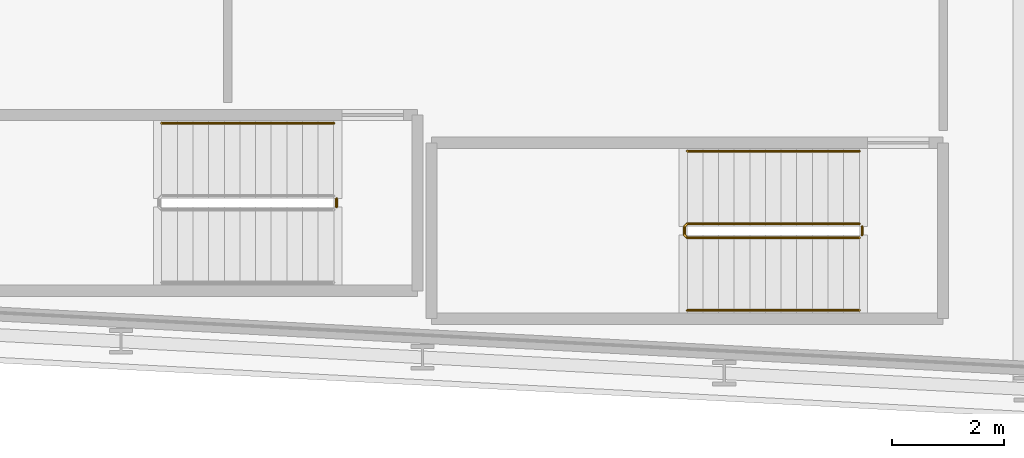
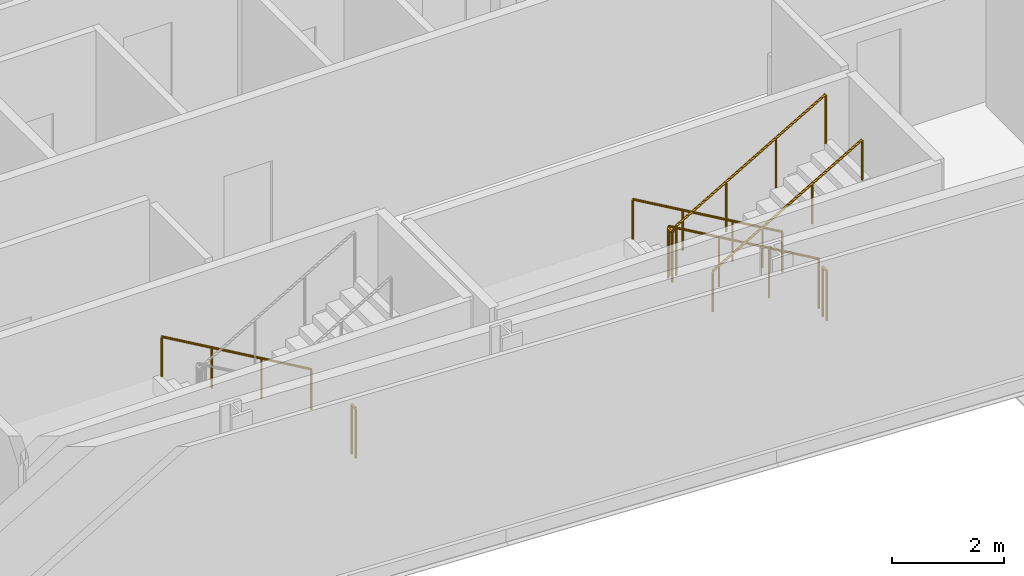
# One storey, part 22 of 25: 6 railings.
"""IFC4 building model written with IfcOpenShell, lengths in metres."""

from ifc_helpers import new_model, si_unit, direction, frame, origin, origin_2d, place, context, subcontext, project, spatial, circle, extrude, material, type_object, element, save


model = new_model("IFC4")

# Units and contexts
model_context = context("Model", 3, precision=1e-05, world=origin(), true_north=direction((0.0, 1.0)))
body_context = subcontext(model_context, "Body", "Model", "MODEL_VIEW")
ifc_project = project(units=[si_unit("LENGTHUNIT", "METRE"), si_unit("AREAUNIT", "SQUARE_METRE"), si_unit("VOLUMEUNIT", "CUBIC_METRE"), si_unit("PLANEANGLEUNIT", "RADIAN"), si_unit("MASSUNIT", "GRAM", prefix="KILO")], contexts=[model_context])

# Site, building, storey
site_placement = place(None, origin())
site = spatial("IfcSite", under=ifc_project, at=site_placement, CompositionType="ELEMENT")
building_placement = place(site_placement, origin())
building = spatial("IfcBuilding", under=site, at=building_placement, Name="Kheshtan School and Residences Tower", CompositionType="ELEMENT")
storey_placement = place(building_placement, frame((0.0, 0.0, 113.60009765625)))
storey = spatial("IfcBuildingStorey", under=building, at=storey_placement, Name="L26", CompositionType="ELEMENT", Elevation=113.60009765625)

# Railings
ifc_material_1 = material(Name="Stainless steel balustrade", Category="steel")
railing_type_1 = type_object("IfcRailingType", Name="Stair guard 1100", PredefinedType="GUARDRAIL", material=ifc_material_1)
railing_1_placement = place(storey_placement, frame((87.820068359375, 23.949951171875, 0.162353515625)))
element("IfcRailing", 1, at=railing_1_placement, inside=storey, type_object=railing_type_1, Name="L26 ST4 stair guard 1", PredefinedType="GUARDRAIL", context=body_context, shape_type="SweptSolid", body=[
    extrude(circle(Radius=0.02392578125, at=origin_2d()), frame((0.0, 0.0, 1.076171875), z_axis=(-0.864890721111, 0.0, 0.501960198159), x_axis=(0.0, -1.0, 0.0)), (0.0, 0.0, 1.0), 3.561279296875),
    extrude(circle(Radius=0.02392578125, at=origin_2d()), frame((-3.080078125, 0.0, 2.86376953125), z_axis=(-0.707106781187, -0.707106781187, 0.0), x_axis=(0.707106781187, -0.707106781187, 0.0)), (0.0, 0.0, 1.0), 0.07080078125),
    extrude(circle(Radius=0.02392578125, at=origin_2d()), frame((-3.130126953125, -0.050048828125, 2.86376953125), z_axis=(0.0, -1.0, 0.0), x_axis=(1.0, 0.0, 0.0)), (0.0, 0.0, 1.0), 0.14990234375),
    extrude(circle(Radius=0.02392578125, at=origin_2d()), frame((-3.130126953125, -0.199951171875, 2.86376953125), z_axis=(0.282583949758, -0.282583949758, 0.916674763849), x_axis=(0.707106781187, 0.707106781187, 0.0)), (0.0, 0.0, 1.0), 0.177001953125),
    extrude(circle(Radius=0.02392578125, at=origin_2d()), frame((-3.080078125, -0.25, 3.02587890625), z_axis=(0.864890721111, 0.0, 0.501960198159), x_axis=(0.0, 1.0, 0.0)), (0.0, 0.0, 1.0), 3.561279296875),
    extrude(circle(Radius=0.02099609375, at=origin_2d()), origin(), (0.0, 0.0, 1.0), 1.052001953125),
    extrude(circle(Radius=0.02099609375, at=origin_2d()), frame((-1.026611328125, 0.0, 0.595947265625)), (0.0, 0.0, 1.0), 1.052001953125),
    extrude(circle(Radius=0.02099609375, at=origin_2d()), frame((-2.053466796875, 0.0, 1.191650390625)), (0.0, 0.0, 1.0), 1.052001953125),
    extrude(circle(Radius=0.02099609375, at=origin_2d()), frame((-3.080078125, 0.0, 1.78759765625)), (0.0, 0.0, 1.0), 1.052001953125),
    extrude(circle(Radius=0.02099609375, at=origin_2d()), frame((-3.130126953125, -0.050048828125, 1.78759765625)), (0.0, 0.0, 1.0), 1.052001953125),
    extrude(circle(Radius=0.02099609375, at=origin_2d()), frame((-3.130126953125, -0.199951171875, 1.78759765625)), (0.0, 0.0, 1.0), 1.052001953125),
    extrude(circle(Radius=0.02099609375, at=origin_2d()), frame((-3.080078125, -0.25, 1.949951171875)), (0.0, 0.0, 1.0), 1.052001953125),
    extrude(circle(Radius=0.02099609375, at=origin_2d()), frame((-2.053466796875, -0.25, 2.5458984375)), (0.0, 0.0, 1.0), 1.052001953125),
    extrude(circle(Radius=0.02099609375, at=origin_2d()), frame((-1.026611328125, -0.25, 3.1416015625)), (0.0, 0.0, 1.0), 1.052001953125),
    extrude(circle(Radius=0.02099609375, at=origin_2d()), frame((0.0, -0.25, 3.737548828125)), (0.0, 0.0, 1.0), 1.052001953125),
])
for number, where, name in (
    (2, (87.8701171875, 23.89990234375, 0.0), "L26 ST4 stair guard 2"),
    (3, (78.4599609375, 24.39990234375, 0.0), "L26 ST5 stair guard 2"),
):
    element("IfcRailing", number, at=place(storey_placement, frame(where)), inside=storey, type_object=railing_type_1, Name=name, PredefinedType="GUARDRAIL", context=body_context, shape_type="SweptSolid", body=[
        extrude(circle(Radius=0.02392578125, at=origin_2d()), frame((0.0, 0.0, 1.076171875), z_axis=(0.0, -1.0, 0.0), x_axis=(1.0, 0.0, 0.0)), (0.0, 0.0, 1.0), 0.14990234375),
        extrude(circle(Radius=0.02099609375, at=origin_2d()), origin(), (0.0, 0.0, 1.0), 1.052001953125),
        extrude(circle(Radius=0.02099609375, at=origin_2d()), frame((0.0, -0.14990234375, 0.0)), (0.0, 0.0, 1.0), 1.052001953125),
    ])
ifc_material_2 = material(Name="Stainless steel handrail", Category="steel")
railing_type_2 = type_object("IfcRailingType", Name="Stair handrail 900", PredefinedType="HANDRAIL", material=ifc_material_2)
railing_2_placement = place(storey_placement, frame((87.820068359375, 25.25, 0.162353515625)))
element("IfcRailing", 4, at=railing_2_placement, inside=storey, type_object=railing_type_2, Name="L26 ST4 stair handrail 1", PredefinedType="HANDRAIL", context=body_context, shape_type="SweptSolid", body=[
    extrude(circle(Radius=0.02392578125, at=origin_2d()), frame((0.0, 0.0, 0.8759765625), z_axis=(-0.864890721111, 0.0, 0.501960198159), x_axis=(0.0, -1.0, 0.0)), (0.0, 0.0, 1.0), 3.561279296875),
    extrude(circle(Radius=0.02099609375, at=origin_2d()), origin(), (0.0, 0.0, 1.0), 0.851806640625),
    extrude(circle(Radius=0.02099609375, at=origin_2d()), frame((-1.026611328125, 0.0, 0.595947265625)), (0.0, 0.0, 1.0), 0.851806640625),
    extrude(circle(Radius=0.02099609375, at=origin_2d()), frame((-2.053466796875, 0.0, 1.191650390625)), (0.0, 0.0, 1.0), 0.851806640625),
    extrude(circle(Radius=0.02099609375, at=origin_2d()), frame((-3.080078125, 0.0, 1.78759765625)), (0.0, 0.0, 1.0), 0.851806640625),
])
railing_3_placement = place(storey_placement, frame((84.739990234375, 22.39990234375, 2.1123046875)))
element("IfcRailing", 5, at=railing_3_placement, inside=storey, type_object=railing_type_2, Name="L26 ST4 stair handrail 2", PredefinedType="HANDRAIL", context=body_context, shape_type="SweptSolid", body=[
    extrude(circle(Radius=0.02392578125, at=origin_2d()), frame((0.0, 0.0, 0.8759765625), z_axis=(0.864890721111, 0.0, 0.501960198159), x_axis=(0.0, 1.0, 0.0)), (0.0, 0.0, 1.0), 3.561279296875),
    extrude(circle(Radius=0.02099609375, at=origin_2d()), origin(), (0.0, 0.0, 1.0), 0.851806640625),
    extrude(circle(Radius=0.02099609375, at=origin_2d()), frame((1.026611328125, 0.0, 0.595947265625)), (0.0, 0.0, 1.0), 0.851806640625),
    extrude(circle(Radius=0.02099609375, at=origin_2d()), frame((2.053466796875, 0.0, 1.191650390625)), (0.0, 0.0, 1.0), 0.851806640625),
    extrude(circle(Radius=0.02099609375, at=origin_2d()), frame((3.080078125, 0.0, 1.78759765625)), (0.0, 0.0, 1.0), 0.851806640625),
])
railing_4_placement = place(storey_placement, frame((78.409912109375, 25.75, 0.162353515625)))
element("IfcRailing", 6, at=railing_4_placement, inside=storey, type_object=railing_type_2, Name="L26 ST5 stair handrail 1", PredefinedType="HANDRAIL", context=body_context, shape_type="SweptSolid", body=[
    extrude(circle(Radius=0.02392578125, at=origin_2d()), frame((0.0, 0.0, 0.8759765625), z_axis=(-0.864873446163, 0.0, 0.501989962173), x_axis=(0.0, -1.0, 0.0)), (0.0, 0.0, 1.0), 3.56103515625),
    extrude(circle(Radius=0.02099609375, at=origin_2d()), origin(), (0.0, 0.0, 1.0), 0.851806640625),
    extrude(circle(Radius=0.02099609375, at=origin_2d()), frame((-1.026611328125, 0.0, 0.595947265625)), (0.0, 0.0, 1.0), 0.851806640625),
    extrude(circle(Radius=0.02099609375, at=origin_2d()), frame((-2.05322265625, 0.0, 1.191650390625)), (0.0, 0.0, 1.0), 0.851806640625),
    extrude(circle(Radius=0.02099609375, at=origin_2d()), frame((-3.079833984375, 0.0, 1.78759765625)), (0.0, 0.0, 1.0), 0.851806640625),
])

save(model, "model.ifc")
